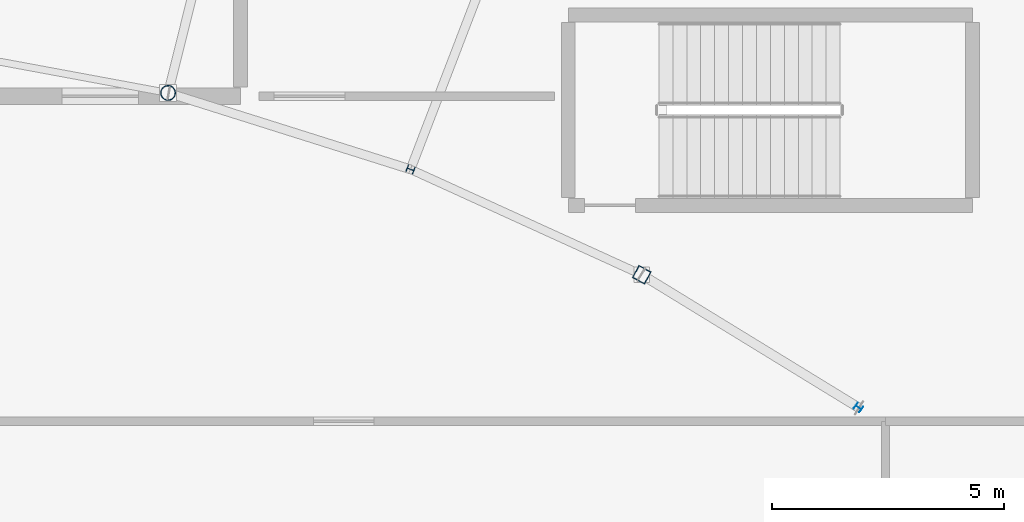
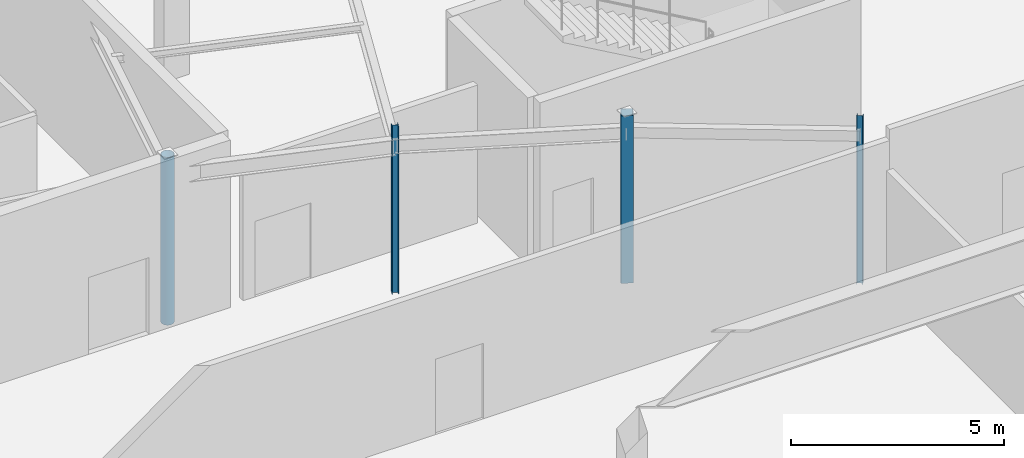
# One storey, part 29 of 186: 4 columns.
"""IFC4 building model written with IfcOpenShell, lengths in metres."""

import ifcopenshell
import ifcopenshell.guid

model = None  # the IFC model being written
_history = None  # IfcOwnerHistory: only IFC2X3 demands one
_inside = {}  # id of a spatial element -> (the spatial element, [elements in it])
_under = {}  # id of a project, library or spatial element -> (it, [spatial elements below it])
_declared = {}  # id of a project -> (the project, [libraries it declares])
_typed = {}  # id of a type object -> (the type object, [elements of that type])
_made_of = {}  # id of a material, layer set ... -> (it, [elements and type objects made of it])


def new_model(schema):
    """Start an empty IFC model of exactly this schema.

    Asked for "IFC4X3", IfcOpenShell would pick the latest addendum, in which some entities
    have other attributes; the version numbers below select the first issue.
    IFC2X3 requires an IfcOwnerHistory on every rooted entity: one is made here for all.
    """
    global model, _history
    if schema == "IFC4X3":
        model = ifcopenshell.file(schema_version=(4, 3, 0, 0))
    else:
        model = ifcopenshell.file(schema=schema)
    _inside.clear()
    _under.clear()
    _declared.clear()
    _typed.clear()
    _made_of.clear()
    _history = None
    if model.schema == "IFC2X3":
        org = make("IfcOrganization", Name="unknown")
        user = make(
            "IfcPersonAndOrganization",
            ThePerson=make("IfcPerson", FamilyName="unknown"),
            TheOrganization=org,
        )
        app = make(
            "IfcApplication",
            ApplicationDeveloper=org,
            Version="unknown",
            ApplicationFullName="unknown",
            ApplicationIdentifier="unknown",
        )
        _history = make(
            "IfcOwnerHistory",
            OwningUser=user,
            OwningApplication=app,
            ChangeAction="ADDED",
            CreationDate=0,
        )
    return model


def make(cls, **values):
    """One entity of the class cls with the attributes given. An attribute that is None is left unset."""
    return model.create_entity(
        cls, **{name: value for name, value in values.items() if value is not None}
    )


def rooted(cls, **values):
    """An entity with a GlobalId (a new one), such as an element, a storey or a relation."""
    return make(cls, GlobalId=ifcopenshell.guid.new(), OwnerHistory=_history, **values)


def si_unit(unit_type, name, prefix=None):
    """IfcSIUnit, for example si_unit("LENGTHUNIT", "METRE", prefix="MILLI")."""
    return make("IfcSIUnit", UnitType=unit_type, Prefix=prefix, Name=name)


def assignment(units):
    """IfcUnitAssignment: the units of a project."""
    return None if units is None else make("IfcUnitAssignment", Units=units)


def point(xyz):
    """IfcCartesianPoint."""
    return None if xyz is None else make("IfcCartesianPoint", Coordinates=xyz)


def direction(xyz):
    """IfcDirection."""
    return None if xyz is None else make("IfcDirection", DirectionRatios=xyz)


def frame(location, z_axis=None, x_axis=None):
    """IfcAxis2Placement3D, a coordinate frame: its origin and axes. An axis left out is left unset."""
    return make(
        "IfcAxis2Placement3D",
        Location=point(location),
        Axis=direction(z_axis),
        RefDirection=direction(x_axis),
    )


def frame_2d(location, x_axis=None):
    """IfcAxis2Placement2D, a coordinate frame in the plane: its origin and x axis."""
    return make(
        "IfcAxis2Placement2D", Location=point(location), RefDirection=direction(x_axis)
    )


def origin():
    """The frame at (0, 0, 0) with its axes left unset."""
    return frame((0.0, 0.0, 0.0))


def origin_2d():
    """The frame at (0, 0) in the plane with its x axis left unset."""
    return frame_2d((0.0, 0.0))


def place(relative_to, where):
    """IfcLocalPlacement: puts the frame where relative to a parent placement (None: the world)."""
    return make(
        "IfcLocalPlacement", PlacementRelTo=relative_to, RelativePlacement=where
    )


def context(
    kind, dimensions, precision=None, world=None, true_north=None, identifier=None
):
    """IfcGeometricRepresentationContext, for example the 3D "Model" context."""
    return make(
        "IfcGeometricRepresentationContext",
        ContextIdentifier=identifier,
        ContextType=kind,
        CoordinateSpaceDimension=dimensions,
        Precision=precision,
        WorldCoordinateSystem=world,
        TrueNorth=true_north,
    )


def subcontext(parent, identifier, kind, view, scale=None):
    """IfcGeometricRepresentationSubContext, for example "Body" below "Model"."""
    return make(
        "IfcGeometricRepresentationSubContext",
        ContextIdentifier=identifier,
        ContextType=kind,
        ParentContext=parent,
        TargetScale=scale,
        TargetView=view,
    )


def project(units=None, contexts=None):
    """IfcProject with its units and contexts."""
    return rooted(
        "IfcProject",
        Name="project",
        RepresentationContexts=contexts,
        UnitsInContext=assignment(units),
    )


def spatial(cls, under=None, at=None, **own):
    """A site, building, storey or space (cls), placed at a placement, below another one or the project."""
    s = rooted(cls, ObjectPlacement=at, **own)
    if under is not None:
        _under.setdefault(under.id(), (under, []))[1].append(s)
    return s


def profile(cls, at=None, kind="AREA", **sizes):
    """A parametric profile (cls). Its sizes go by their IFC names, for example OverallWidth=200.0."""
    return make(cls, ProfileType=kind, Position=at, **sizes)


def hollow_rectangle(**sizes):
    """IfcRectangleHollowProfileDef."""
    return profile("IfcRectangleHollowProfileDef", **sizes)


def hollow_circle(**sizes):
    """IfcCircleHollowProfileDef."""
    return profile("IfcCircleHollowProfileDef", **sizes)


def i_section(**sizes):
    """IfcIShapeProfileDef."""
    return profile("IfcIShapeProfileDef", **sizes)


def extrude(swept, where, along, depth):
    """IfcExtrudedAreaSolid: the profile swept, set in the frame where, extruded along a direction by depth."""
    return make(
        "IfcExtrudedAreaSolid",
        SweptArea=swept,
        Position=where,
        ExtrudedDirection=direction(along),
        Depth=depth,
    )


def shape(context_of_items, identifier, shape_type, items):
    """IfcShapeRepresentation: the items that make up one representation, for example the "Body"."""
    return make(
        "IfcShapeRepresentation",
        ContextOfItems=context_of_items,
        RepresentationIdentifier=identifier,
        RepresentationType=shape_type,
        Items=items,
    )


def material(Name=None, Category=None):
    """IfcMaterial."""
    return make("IfcMaterial", Name=Name, Category=Category)


def material_profile(
    of_material, cross_section, Name=None, Category=None, Priority=None
):
    """IfcMaterialProfile: a cross section and its material."""
    return make(
        "IfcMaterialProfile",
        Name=Name,
        Material=of_material,
        Profile=cross_section,
        Priority=Priority,
        Category=Category,
    )


def profile_set(profiles, Name=None, composite=None):
    """IfcMaterialProfileSet."""
    return make(
        "IfcMaterialProfileSet",
        Name=Name,
        MaterialProfiles=profiles,
        CompositeProfile=composite,
    )


def made_of(thing, what):
    """Note that an element or type object is made of a material, layer set ...; save() writes the relation."""
    if what is not None:
        _made_of.setdefault(what.id(), (what, []))[1].append(thing)
    return thing


def type_object(cls, material=None, **own):
    """A type object (cls), such as IfcWallType, which elements share."""
    return made_of(rooted(cls, **own), material)


def element(
    cls,
    number,
    at=None,
    inside=None,
    cuts=None,
    type_object=None,
    material=None,
    context=None,
    identifier="Body",
    shape_type=None,
    held_by="IfcProductDefinitionShape",
    body=None,
    shapes=None,
    **own,
):
    """One element of the class cls, such as IfcWall. Its Tag is "e" and its number.

    at: its placement. inside: the storey or other place that contains it. cuts: it is an
    opening in that element (IfcRelVoidsElement). A single representation is given by context,
    identifier, shape_type and body (its items); several are given by shapes. held_by: the class
    of the entity that holds the representations. save() writes the other relations.
    """
    e = rooted(cls, Tag="e%d" % number, ObjectPlacement=at, **own)
    if body is not None:
        shapes = [shape(context, identifier, shape_type, body)]
    if shapes is not None:
        e.Representation = make(held_by, Representations=shapes)
    if inside is not None:
        _inside.setdefault(inside.id(), (inside, []))[1].append(e)
    if cuts is not None:
        rooted(
            "IfcRelVoidsElement", RelatingBuildingElement=cuts, RelatedOpeningElement=e
        )
    if type_object is not None:
        _typed.setdefault(type_object.id(), (type_object, []))[1].append(e)
    return made_of(e, material)


def aggregate(whole, parts):
    """IfcRelAggregates: a whole, such as a stair, and the parts it consists of."""
    return rooted("IfcRelAggregates", RelatingObject=whole, RelatedObjects=parts)


def save(model, path):
    """Write the relations noted so far, then the file.

    IfcRelAggregates (storeys below a building ...), IfcRelContainedInSpatialStructure (elements
    in a storey), IfcRelDefinesByType, IfcRelAssociatesMaterial and IfcRelDeclares: one each for
    every whole, place, type object, material and project.
    """
    for whole, parts in _under.values():
        aggregate(whole, parts)
    for where, things in _inside.values():
        rooted(
            "IfcRelContainedInSpatialStructure",
            RelatedElements=things,
            RelatingStructure=where,
        )
    for kind, things in _typed.values():
        rooted("IfcRelDefinesByType", RelatedObjects=things, RelatingType=kind)
    for what, things in _made_of.values():
        rooted("IfcRelAssociatesMaterial", RelatedObjects=things, RelatingMaterial=what)
    for by, libraries in _declared.values():
        rooted("IfcRelDeclares", RelatingContext=by, RelatedDefinitions=libraries)
    model.write(path)


model = new_model("IFC4")

# Units and contexts
model_context = context("Model", 3, precision=1e-05, world=origin(), true_north=direction((0.0, 1.0)))
body_context = subcontext(model_context, "Body", "Model", "MODEL_VIEW")
ifc_project = project(units=[si_unit("LENGTHUNIT", "METRE"), si_unit("AREAUNIT", "SQUARE_METRE"), si_unit("VOLUMEUNIT", "CUBIC_METRE"), si_unit("PLANEANGLEUNIT", "RADIAN"), si_unit("MASSUNIT", "GRAM", prefix="KILO")], contexts=[model_context])

# Site, building, storey
site_placement = place(None, origin())
site = spatial("IfcSite", under=ifc_project, at=site_placement, CompositionType="ELEMENT")
building_placement = place(site_placement, origin())
building = spatial("IfcBuilding", under=site, at=building_placement, Name="Tarnwether General Hospital", CompositionType="ELEMENT")
storey_placement = place(building_placement, frame((0.0, 0.0, 9.60009765625)))
storey = spatial("IfcBuildingStorey", under=building, at=storey_placement, Name="L02", CompositionType="ELEMENT", Elevation=9.60009765625)

# Columns
ifc_material_1 = material(Name="Steel Grade C350L0 (350 MPa)", Category="steel")
ifc_material_profile_1 = material_profile(ifc_material_1, hollow_circle(Radius=0.161865234375, WallThickness=0.0126953125, at=origin_2d()), Name="CHS323.9x12.7")
ifc_profile_set_1 = profile_set([ifc_material_profile_1], Name="Steel Grade C350L0 (350 MPa)")
column_type_1 = type_object("IfcColumnType", Name="COL-26", PredefinedType="COLUMN", material=ifc_profile_set_1)
column_1_placement = place(storey_placement, frame((102.837890625, 106.468994140625, 0.0), z_axis=(0.0, 0.0, 1.0), x_axis=(0.2419218956, 0.970295726276, 0.0)))
element("IfcColumn", 1, at=column_1_placement, inside=storey, type_object=column_type_1, Name="Column COLG-L02-10284_10647", PredefinedType="COLUMN", context=body_context, shape_type="SweptSolid", body=[
    extrude(hollow_circle(Radius=0.161865234375, WallThickness=0.0126953125, at=origin_2d()), origin(), (0.0, 0.0, 1.0), 4.7998046875),
])
ifc_material_2 = material(Name="Steel Grade 350 (350 MPa)", Category="steel")
ifc_material_profile_2 = material_profile(ifc_material_2, i_section(OverallWidth=0.154052734375, OverallDepth=0.162109375, WebThickness=0.008056640625, FlangeThickness=0.011474609375, at=origin_2d()), Name="150UC37.2")
ifc_profile_set_2 = profile_set([ifc_material_profile_2], Name="Steel Grade 350 (350 MPa)")
column_type_2 = type_object("IfcColumnType", Name="COL-28", PredefinedType="COLUMN", material=ifc_profile_set_2)
column_2_placement = place(storey_placement, frame((108.054931640625, 104.823974609375, 0.0), z_axis=(0.0, 0.0, 1.0), x_axis=(0.358367949545, 0.933580426497, 0.0)))
element("IfcColumn", 2, at=column_2_placement, inside=storey, type_object=column_type_2, Name="Column COLG-L02-10806_10482", PredefinedType="COLUMN", context=body_context, shape_type="SweptSolid", body=[
    extrude(i_section(OverallWidth=0.154052734375, OverallDepth=0.162109375, WebThickness=0.008056640625, FlangeThickness=0.011474609375, at=origin_2d()), origin(), (0.0, 0.0, 1.0), 4.7998046875),
])
ifc_material_3 = material(Name="Steel Grade C350L0 (350 MPa)", Category="steel")
ifc_material_profile_3 = material_profile(ifc_material_3, hollow_rectangle(XDim=0.300048828125, YDim=0.300048828125, WallThickness=0.012451171875, at=origin_2d()), Name="SHS300x300x12.5")
ifc_profile_set_3 = profile_set([ifc_material_profile_3], Name="Steel Grade C350L0 (350 MPa)")
column_type_3 = type_object("IfcColumnType", Name="COL-30", PredefinedType="COLUMN", material=ifc_profile_set_3)
column_3_placement = place(storey_placement, frame((113.031982421875, 102.555908203125, 0.0), z_axis=(0.0, 0.0, 1.0), x_axis=(0.469471562786, 0.882947592859, 0.0)))
element("IfcColumn", 3, at=column_3_placement, inside=storey, type_object=column_type_3, Name="Column COLG-L02-11303_10256", PredefinedType="COLUMN", context=body_context, shape_type="SweptSolid", body=[
    extrude(hollow_rectangle(XDim=0.300048828125, YDim=0.300048828125, WallThickness=0.012451171875, at=origin_2d()), origin(), (0.0, 0.0, 1.0), 4.7998046875),
])
ifc_material_4 = material(Name="Steel Grade 350 (350 MPa)", Category="steel")
ifc_material_profile_4 = material_profile(ifc_material_4, i_section(OverallWidth=0.152099609375, OverallDepth=0.152099609375, WebThickness=0.006103515625, FlangeThickness=0.0068359375, at=origin_2d()), Name="150UC23.4")
ifc_profile_set_4 = profile_set([ifc_material_profile_4], Name="Steel Grade 350 (350 MPa)")
column_type_4 = type_object("IfcColumnType", Name="COL-32", PredefinedType="COLUMN", material=ifc_profile_set_4)
column_4_placement = place(storey_placement, frame((117.696044921875, 99.697998046875, 0.0), z_axis=(0.0, 0.0, 1.0), x_axis=(0.573576436351, 0.819152044289, 0.0)))
element("IfcColumn", 4, at=column_4_placement, inside=storey, type_object=column_type_4, Name="Column COLG-L02-11770_9970", PredefinedType="COLUMN", context=body_context, shape_type="SweptSolid", body=[
    extrude(i_section(OverallWidth=0.152099609375, OverallDepth=0.152099609375, WebThickness=0.006103515625, FlangeThickness=0.0068359375, at=origin_2d()), origin(), (0.0, 0.0, 1.0), 4.7998046875),
])

save(model, "model.ifc")
